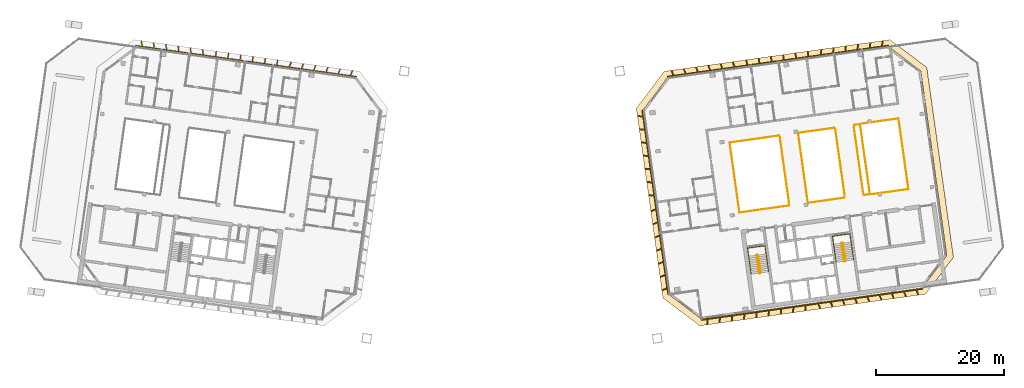
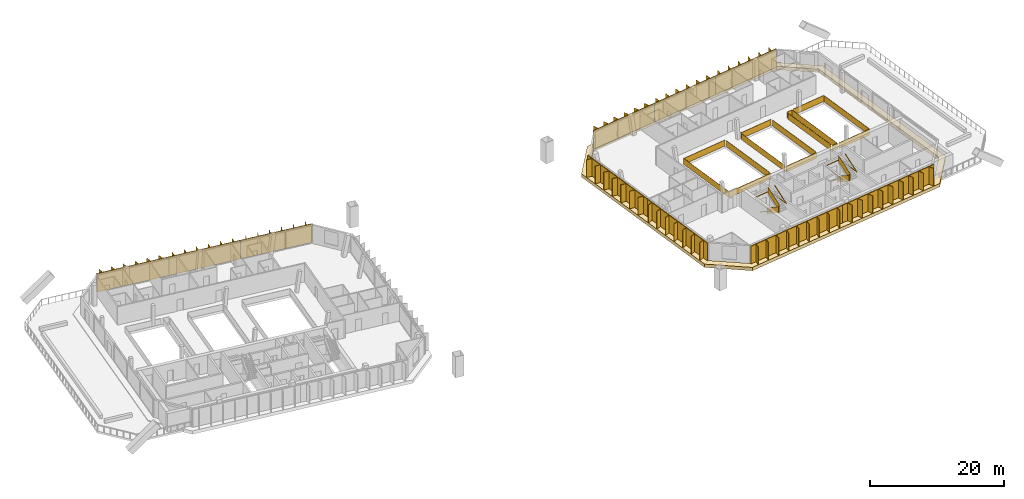
# One storey, part 18 of 19: 13 railings, 10 shading devices, 1 covering.
"""IFC4 building model written with IfcOpenShell, lengths in metres."""

import ifcopenshell
import ifcopenshell.guid

model = None  # the IFC model being written
_history = None  # IfcOwnerHistory: only IFC2X3 demands one
_inside = {}  # id of a spatial element -> (the spatial element, [elements in it])
_under = {}  # id of a project, library or spatial element -> (it, [spatial elements below it])
_declared = {}  # id of a project -> (the project, [libraries it declares])
_typed = {}  # id of a type object -> (the type object, [elements of that type])
_made_of = {}  # id of a material, layer set ... -> (it, [elements and type objects made of it])


def new_model(schema):
    """Start an empty IFC model of exactly this schema.

    Asked for "IFC4X3", IfcOpenShell would pick the latest addendum, in which some entities
    have other attributes; the version numbers below select the first issue.
    IFC2X3 requires an IfcOwnerHistory on every rooted entity: one is made here for all.
    """
    global model, _history
    if schema == "IFC4X3":
        model = ifcopenshell.file(schema_version=(4, 3, 0, 0))
    else:
        model = ifcopenshell.file(schema=schema)
    _inside.clear()
    _under.clear()
    _declared.clear()
    _typed.clear()
    _made_of.clear()
    _history = None
    if model.schema == "IFC2X3":
        org = make("IfcOrganization", Name="unknown")
        user = make(
            "IfcPersonAndOrganization",
            ThePerson=make("IfcPerson", FamilyName="unknown"),
            TheOrganization=org,
        )
        app = make(
            "IfcApplication",
            ApplicationDeveloper=org,
            Version="unknown",
            ApplicationFullName="unknown",
            ApplicationIdentifier="unknown",
        )
        _history = make(
            "IfcOwnerHistory",
            OwningUser=user,
            OwningApplication=app,
            ChangeAction="ADDED",
            CreationDate=0,
        )
    return model


def make(cls, **values):
    """One entity of the class cls with the attributes given. An attribute that is None is left unset."""
    return model.create_entity(
        cls, **{name: value for name, value in values.items() if value is not None}
    )


def rooted(cls, **values):
    """An entity with a GlobalId (a new one), such as an element, a storey or a relation."""
    return make(cls, GlobalId=ifcopenshell.guid.new(), OwnerHistory=_history, **values)


def si_unit(unit_type, name, prefix=None):
    """IfcSIUnit, for example si_unit("LENGTHUNIT", "METRE", prefix="MILLI")."""
    return make("IfcSIUnit", UnitType=unit_type, Prefix=prefix, Name=name)


def assignment(units):
    """IfcUnitAssignment: the units of a project."""
    return None if units is None else make("IfcUnitAssignment", Units=units)


def point(xyz):
    """IfcCartesianPoint."""
    return None if xyz is None else make("IfcCartesianPoint", Coordinates=xyz)


def direction(xyz):
    """IfcDirection."""
    return None if xyz is None else make("IfcDirection", DirectionRatios=xyz)


def frame(location, z_axis=None, x_axis=None):
    """IfcAxis2Placement3D, a coordinate frame: its origin and axes. An axis left out is left unset."""
    return make(
        "IfcAxis2Placement3D",
        Location=point(location),
        Axis=direction(z_axis),
        RefDirection=direction(x_axis),
    )


def frame_2d(location, x_axis=None):
    """IfcAxis2Placement2D, a coordinate frame in the plane: its origin and x axis."""
    return make(
        "IfcAxis2Placement2D", Location=point(location), RefDirection=direction(x_axis)
    )


def origin():
    """The frame at (0, 0, 0) with its axes left unset."""
    return frame((0.0, 0.0, 0.0))


def origin_2d():
    """The frame at (0, 0) in the plane with its x axis left unset."""
    return frame_2d((0.0, 0.0))


def place(relative_to, where):
    """IfcLocalPlacement: puts the frame where relative to a parent placement (None: the world)."""
    return make(
        "IfcLocalPlacement", PlacementRelTo=relative_to, RelativePlacement=where
    )


def context(
    kind, dimensions, precision=None, world=None, true_north=None, identifier=None
):
    """IfcGeometricRepresentationContext, for example the 3D "Model" context."""
    return make(
        "IfcGeometricRepresentationContext",
        ContextIdentifier=identifier,
        ContextType=kind,
        CoordinateSpaceDimension=dimensions,
        Precision=precision,
        WorldCoordinateSystem=world,
        TrueNorth=true_north,
    )


def subcontext(parent, identifier, kind, view, scale=None):
    """IfcGeometricRepresentationSubContext, for example "Body" below "Model"."""
    return make(
        "IfcGeometricRepresentationSubContext",
        ContextIdentifier=identifier,
        ContextType=kind,
        ParentContext=parent,
        TargetScale=scale,
        TargetView=view,
    )


def project(units=None, contexts=None):
    """IfcProject with its units and contexts."""
    return rooted(
        "IfcProject",
        Name="project",
        RepresentationContexts=contexts,
        UnitsInContext=assignment(units),
    )


def spatial(cls, under=None, at=None, **own):
    """A site, building, storey or space (cls), placed at a placement, below another one or the project."""
    s = rooted(cls, ObjectPlacement=at, **own)
    if under is not None:
        _under.setdefault(under.id(), (under, []))[1].append(s)
    return s


def polyline(points):
    """IfcPolyline through the points."""
    return make("IfcPolyline", Points=[point(p) for p in points])


def profile(cls, at=None, kind="AREA", **sizes):
    """A parametric profile (cls). Its sizes go by their IFC names, for example OverallWidth=200.0."""
    return make(cls, ProfileType=kind, Position=at, **sizes)


def rectangle(**sizes):
    """IfcRectangleProfileDef."""
    return profile("IfcRectangleProfileDef", **sizes)


def outline(outer, holes=None, kind="AREA"):
    """IfcArbitraryClosedProfileDef: a profile drawn as a closed curve; with holes, ...WithVoids."""
    if holes is None:
        return make("IfcArbitraryClosedProfileDef", ProfileType=kind, OuterCurve=outer)
    return make(
        "IfcArbitraryProfileDefWithVoids",
        ProfileType=kind,
        OuterCurve=outer,
        InnerCurves=holes,
    )


def extrude(swept, where, along, depth):
    """IfcExtrudedAreaSolid: the profile swept, set in the frame where, extruded along a direction by depth."""
    return make(
        "IfcExtrudedAreaSolid",
        SweptArea=swept,
        Position=where,
        ExtrudedDirection=direction(along),
        Depth=depth,
    )


def shape(context_of_items, identifier, shape_type, items):
    """IfcShapeRepresentation: the items that make up one representation, for example the "Body"."""
    return make(
        "IfcShapeRepresentation",
        ContextOfItems=context_of_items,
        RepresentationIdentifier=identifier,
        RepresentationType=shape_type,
        Items=items,
    )


def material(Name=None, Category=None):
    """IfcMaterial."""
    return make("IfcMaterial", Name=Name, Category=Category)


def layer(
    of_material, thickness, ventilated=None, Name=None, Category=None, Priority=None
):
    """IfcMaterialLayer: one layer of a wall or slab, of a material (None: an air gap)."""
    return make(
        "IfcMaterialLayer",
        Material=of_material,
        LayerThickness=thickness,
        IsVentilated=ventilated,
        Name=Name,
        Category=Category,
        Priority=Priority,
    )


def layer_set(layers, Name=None):
    """IfcMaterialLayerSet."""
    return make("IfcMaterialLayerSet", MaterialLayers=layers, LayerSetName=Name)


def made_of(thing, what):
    """Note that an element or type object is made of a material, layer set ...; save() writes the relation."""
    if what is not None:
        _made_of.setdefault(what.id(), (what, []))[1].append(thing)
    return thing


def type_object(cls, material=None, **own):
    """A type object (cls), such as IfcWallType, which elements share."""
    return made_of(rooted(cls, **own), material)


def element(
    cls,
    number,
    at=None,
    inside=None,
    cuts=None,
    type_object=None,
    material=None,
    context=None,
    identifier="Body",
    shape_type=None,
    held_by="IfcProductDefinitionShape",
    body=None,
    shapes=None,
    **own,
):
    """One element of the class cls, such as IfcWall. Its Tag is "e" and its number.

    at: its placement. inside: the storey or other place that contains it. cuts: it is an
    opening in that element (IfcRelVoidsElement). A single representation is given by context,
    identifier, shape_type and body (its items); several are given by shapes. held_by: the class
    of the entity that holds the representations. save() writes the other relations.
    """
    e = rooted(cls, Tag="e%d" % number, ObjectPlacement=at, **own)
    if body is not None:
        shapes = [shape(context, identifier, shape_type, body)]
    if shapes is not None:
        e.Representation = make(held_by, Representations=shapes)
    if inside is not None:
        _inside.setdefault(inside.id(), (inside, []))[1].append(e)
    if cuts is not None:
        rooted(
            "IfcRelVoidsElement", RelatingBuildingElement=cuts, RelatedOpeningElement=e
        )
    if type_object is not None:
        _typed.setdefault(type_object.id(), (type_object, []))[1].append(e)
    return made_of(e, material)


def aggregate(whole, parts):
    """IfcRelAggregates: a whole, such as a stair, and the parts it consists of."""
    return rooted("IfcRelAggregates", RelatingObject=whole, RelatedObjects=parts)


def save(model, path):
    """Write the relations noted so far, then the file.

    IfcRelAggregates (storeys below a building ...), IfcRelContainedInSpatialStructure (elements
    in a storey), IfcRelDefinesByType, IfcRelAssociatesMaterial and IfcRelDeclares: one each for
    every whole, place, type object, material and project.
    """
    for whole, parts in _under.values():
        aggregate(whole, parts)
    for where, things in _inside.values():
        rooted(
            "IfcRelContainedInSpatialStructure",
            RelatedElements=things,
            RelatingStructure=where,
        )
    for kind, things in _typed.values():
        rooted("IfcRelDefinesByType", RelatedObjects=things, RelatingType=kind)
    for what, things in _made_of.values():
        rooted("IfcRelAssociatesMaterial", RelatedObjects=things, RelatingMaterial=what)
    for by, libraries in _declared.values():
        rooted("IfcRelDeclares", RelatingContext=by, RelatedDefinitions=libraries)
    model.write(path)


model = new_model("IFC4")

# Units and contexts
model_context = context("Model", 3, precision=1e-05, world=origin(), true_north=direction((0.0, 1.0)))
body_context = subcontext(model_context, "Body", "Model", "MODEL_VIEW")
ifc_project = project(units=[si_unit("LENGTHUNIT", "METRE"), si_unit("AREAUNIT", "SQUARE_METRE"), si_unit("VOLUMEUNIT", "CUBIC_METRE"), si_unit("PLANEANGLEUNIT", "RADIAN"), si_unit("MASSUNIT", "GRAM", prefix="KILO")], contexts=[model_context])

# Site, building, storey
site_placement = place(None, origin())
site = spatial("IfcSite", under=ifc_project, at=site_placement, CompositionType="ELEMENT")
building_placement = place(site_placement, origin())
building = spatial("IfcBuilding", under=site, at=building_placement, Name="Mirante Cascada Hotel Towers", CompositionType="ELEMENT")
storey_placement = place(building_placement, frame((0.0, 0.0, 231.8)))
storey = spatial("IfcBuildingStorey", under=building, at=storey_placement, Name="L55", CompositionType="ELEMENT", Elevation=231.8)

# Railings
ifc_material_1 = material(Name="Toughened glass with stainless steel handrail", Category="steel")
railing_type_1 = type_object("IfcRailingType", Name="Atrium guard 1100 glass balustrade", PredefinedType="GUARDRAIL", material=ifc_material_1)
railing_1_placement = place(storey_placement, frame((41.6219, 7.308, 0.0)))
element("IfcRailing", 1, at=railing_1_placement, inside=storey, type_object=railing_type_1, Name="GUARD 2-L55-1", PredefinedType="GUARDRAIL", context=body_context, shape_type="SweptSolid", body=[
    extrude(rectangle(XDim=0.048, YDim=0.048, at=origin_2d()), frame((0.0, 0.0, 1.076), z_axis=(-0.9902688, -0.1391679, 0.0), x_axis=(0.1391679, -0.9902688, 0.0)), (0.0, 0.0, 1.0), 7.8042),
    extrude(rectangle(XDim=0.02, YDim=1.052, at=origin_2d()), frame((0.0, 0.0, 0.526), z_axis=(-0.9902688, -0.1391679, 0.0), x_axis=(0.1391679, -0.9902688, 0.0)), (0.0, 0.0, 1.0), 7.8042),
    extrude(rectangle(XDim=0.048, YDim=0.048, at=origin_2d()), frame((-7.7283, -1.0861, 1.076), z_axis=(0.1391733, -0.990268, 0.0), x_axis=(0.990268, 0.1391733, 0.0)), (0.0, 0.0, 1.0), 11.0),
    extrude(rectangle(XDim=0.02, YDim=1.052, at=origin_2d()), frame((-7.7283, -1.0861, 0.526), z_axis=(0.1391733, -0.990268, 0.0), x_axis=(0.990268, 0.1391733, 0.0)), (0.0, 0.0, 1.0), 11.0),
    extrude(rectangle(XDim=0.048, YDim=0.048, at=origin_2d()), frame((-6.1974, -11.979, 1.076), z_axis=(0.9902688, 0.1391679, 0.0), x_axis=(-0.1391679, 0.9902688, 0.0)), (0.0, 0.0, 1.0), 7.8042),
    extrude(rectangle(XDim=0.02, YDim=1.052, at=origin_2d()), frame((-6.1974, -11.979, 0.526), z_axis=(0.9902688, 0.1391679, 0.0), x_axis=(-0.1391679, 0.9902688, 0.0)), (0.0, 0.0, 1.0), 7.8042),
])
railing_2_placement = place(storey_placement, frame((46.1236, -3.1674, 0.0)))
element("IfcRailing", 2, at=railing_2_placement, inside=storey, type_object=railing_type_1, Name="GUARD 2-L55-2", PredefinedType="GUARDRAIL", context=body_context, shape_type="SweptSolid", body=[
    extrude(rectangle(XDim=0.048, YDim=0.048, at=origin_2d()), frame((0.0, 0.0, 1.076), z_axis=(0.9902686, 0.139169, 0.0), x_axis=(-0.139169, 0.9902686, 0.0)), (0.0, 0.0, 1.0), 5.7319),
    extrude(rectangle(XDim=0.02, YDim=1.052, at=origin_2d()), frame((0.0, 0.0, 0.526), z_axis=(0.9902686, 0.139169, 0.0), x_axis=(-0.139169, 0.9902686, 0.0)), (0.0, 0.0, 1.0), 5.7319),
])
railing_3_placement = place(storey_placement, frame((50.2688, 8.5233, 0.0)))
element("IfcRailing", 3, at=railing_3_placement, inside=storey, type_object=railing_type_1, Name="GUARD 2-L55-3", PredefinedType="GUARDRAIL", context=body_context, shape_type="SweptSolid", body=[
    extrude(rectangle(XDim=0.048, YDim=0.048, at=origin_2d()), frame((0.0, 0.0, 1.076), z_axis=(-0.9902686, -0.139169, 0.0), x_axis=(0.139169, -0.9902686, 0.0)), (0.0, 0.0, 1.0), 5.7319),
    extrude(rectangle(XDim=0.02, YDim=1.052, at=origin_2d()), frame((0.0, 0.0, 0.526), z_axis=(-0.9902686, -0.139169, 0.0), x_axis=(0.139169, -0.9902686, 0.0)), (0.0, 0.0, 1.0), 5.7319),
])
railing_4_placement = place(storey_placement, frame((54.7705, -1.9521, 0.0)))
element("IfcRailing", 4, at=railing_4_placement, inside=storey, type_object=railing_type_1, Name="GUARD 2-L55-4", PredefinedType="GUARDRAIL", context=body_context, shape_type="SweptSolid", body=[
    extrude(rectangle(XDim=0.048, YDim=0.048, at=origin_2d()), frame((0.0, 0.0, 1.076), z_axis=(0.9902747, 0.1391261, 0.0), x_axis=(-0.1391261, 0.9902747, 0.0)), (0.0, 0.0, 1.0), 0.9639),
    extrude(rectangle(XDim=0.02, YDim=1.052, at=origin_2d()), frame((0.0, 0.0, 0.526), z_axis=(0.9902747, 0.1391261, 0.0), x_axis=(-0.1391261, 0.9902747, 0.0)), (0.0, 0.0, 1.0), 0.9639),
    extrude(rectangle(XDim=0.048, YDim=0.048, at=origin_2d()), frame((0.9545, 0.1341, 1.076), z_axis=(-0.1391721, 0.9902682, 0.0), x_axis=(-0.9902682, -0.1391721, 0.0)), (0.0, 0.0, 1.0), 11.0001),
    extrude(rectangle(XDim=0.02, YDim=1.052, at=origin_2d()), frame((0.9545, 0.1341, 0.526), z_axis=(-0.1391721, 0.9902682, 0.0), x_axis=(-0.9902682, -0.1391721, 0.0)), (0.0, 0.0, 1.0), 11.0001),
    extrude(rectangle(XDim=0.048, YDim=0.048, at=origin_2d()), frame((-0.5764, 11.0271, 1.076), z_axis=(-0.9902604, -0.1392278, 0.0), x_axis=(0.1392278, -0.9902604, 0.0)), (0.0, 0.0, 1.0), 0.9639),
    extrude(rectangle(XDim=0.02, YDim=1.052, at=origin_2d()), frame((-0.5764, 11.0271, 0.526), z_axis=(-0.9902604, -0.1392278, 0.0), x_axis=(0.1392278, -0.9902604, 0.0)), (0.0, 0.0, 1.0), 0.9639),
])
railing_5_placement = place(storey_placement, frame((43.1602, -3.2853, 0.0)))
element("IfcRailing", 5, at=railing_5_placement, inside=storey, type_object=railing_type_1, Name="GUARD 2-L55-5", PredefinedType="GUARDRAIL", context=body_context, shape_type="SweptSolid", body=[
    extrude(rectangle(XDim=0.048, YDim=0.048, at=origin_2d()), frame((0.0, 0.0, 1.076), z_axis=(-0.1391721, 0.9902682, 0.0), x_axis=(-0.9902682, -0.1391721, 0.0)), (0.0, 0.0, 1.0), 10.4087),
    extrude(rectangle(XDim=0.02, YDim=1.052, at=origin_2d()), frame((0.0, 0.0, 0.526), z_axis=(-0.1391721, 0.9902682, 0.0), x_axis=(-0.9902682, -0.1391721, 0.0)), (0.0, 0.0, 1.0), 10.4087),
])
railing_6_placement = place(storey_placement, frame((44.5853, 7.426, 0.0)))
element("IfcRailing", 6, at=railing_6_placement, inside=storey, type_object=railing_type_1, Name="GUARD 2-L55-6", PredefinedType="GUARDRAIL", context=body_context, shape_type="SweptSolid", body=[
    extrude(rectangle(XDim=0.048, YDim=0.048, at=origin_2d()), frame((0.0, 0.0, 1.076), z_axis=(0.1391721, -0.9902682, 0.0), x_axis=(0.9902682, 0.1391721, 0.0)), (0.0, 0.0, 1.0), 10.4087),
    extrude(rectangle(XDim=0.02, YDim=1.052, at=origin_2d()), frame((0.0, 0.0, 0.526), z_axis=(0.1391721, -0.9902682, 0.0), x_axis=(0.9902682, 0.1391721, 0.0)), (0.0, 0.0, 1.0), 10.4087),
])
railing_7_placement = place(storey_placement, frame((51.8071, -2.0701, 0.0)))
element("IfcRailing", 7, at=railing_7_placement, inside=storey, type_object=railing_type_1, Name="GUARD 2-L55-7", PredefinedType="GUARDRAIL", context=body_context, shape_type="SweptSolid", body=[
    extrude(rectangle(XDim=0.048, YDim=0.048, at=origin_2d()), frame((0.0, 0.0, 1.076), z_axis=(-0.1391721, 0.9902682, 0.0), x_axis=(-0.9902682, -0.1391721, 0.0)), (0.0, 0.0, 1.0), 10.4087),
    extrude(rectangle(XDim=0.02, YDim=1.052, at=origin_2d()), frame((0.0, 0.0, 0.526), z_axis=(-0.1391721, 0.9902682, 0.0), x_axis=(-0.9902682, -0.1391721, 0.0)), (0.0, 0.0, 1.0), 10.4087),
])
railing_8_placement = place(storey_placement, frame((53.2322, 8.6412, 0.0)))
element("IfcRailing", 8, at=railing_8_placement, inside=storey, type_object=railing_type_1, Name="GUARD 2-L55-8", PredefinedType="GUARDRAIL", context=body_context, shape_type="SweptSolid", body=[
    extrude(rectangle(XDim=0.048, YDim=0.048, at=origin_2d()), frame((0.0, 0.0, 1.076), z_axis=(0.1391721, -0.9902682, 0.0), x_axis=(0.9902682, 0.1391721, 0.0)), (0.0, 0.0, 1.0), 10.4087),
    extrude(rectangle(XDim=0.02, YDim=1.052, at=origin_2d()), frame((0.0, 0.0, 0.526), z_axis=(0.1391721, -0.9902682, 0.0), x_axis=(0.9902682, 0.1391721, 0.0)), (0.0, 0.0, 1.0), 10.4087),
])
railing_9_placement = place(storey_placement, frame((56.0246, -1.8264, 0.0)))
element("IfcRailing", 9, at=railing_9_placement, inside=storey, type_object=railing_type_1, Name="GUARD 2-L55-9", PredefinedType="GUARDRAIL", context=body_context, shape_type="SweptSolid", body=[
    extrude(rectangle(XDim=0.048, YDim=0.048, at=origin_2d()), frame((0.0, 0.0, 1.076), z_axis=(0.9902698, 0.1391608, 0.0), x_axis=(-0.1391608, 0.9902698, 0.0)), (0.0, 0.0, 1.0), 5.7545),
    extrude(rectangle(XDim=0.02, YDim=1.052, at=origin_2d()), frame((0.0, 0.0, 0.526), z_axis=(0.9902698, 0.1391608, 0.0), x_axis=(-0.1391608, 0.9902698, 0.0)), (0.0, 0.0, 1.0), 5.7545),
    extrude(rectangle(XDim=0.048, YDim=0.048, at=origin_2d()), frame((5.6985, 0.8008, 1.076), z_axis=(-0.1391697, 0.9902686, 0.0), x_axis=(-0.9902686, -0.1391697, 0.0)), (0.0, 0.0, 1.0), 11.1001),
    extrude(rectangle(XDim=0.02, YDim=1.052, at=origin_2d()), frame((5.6985, 0.8008, 0.526), z_axis=(-0.1391697, 0.9902686, 0.0), x_axis=(-0.9902686, -0.1391697, 0.0)), (0.0, 0.0, 1.0), 11.1001),
    extrude(rectangle(XDim=0.048, YDim=0.048, at=origin_2d()), frame((4.1537, 11.7929, 1.076), z_axis=(-0.9902674, -0.1391779, 0.0), x_axis=(0.1391779, -0.9902674, 0.0)), (0.0, 0.0, 1.0), 5.7545),
    extrude(rectangle(XDim=0.02, YDim=1.052, at=origin_2d()), frame((4.1537, 11.7929, 0.526), z_axis=(-0.9902674, -0.1391779, 0.0), x_axis=(0.1391779, -0.9902674, 0.0)), (0.0, 0.0, 1.0), 5.7545),
])

# Covering
ifc_material_2 = material(Name="Precast concrete C40/50 white", Category="concrete")
ifc_layer = layer(ifc_material_2, 0.6)
ifc_layer_set = layer_set([ifc_layer], Name="Precast concrete SUNSHADE band 1000x600")
covering_type = type_object("IfcCoveringType", Name="Precast concrete SUNSHADE band 1000x600", PredefinedType="CLADDING", material=ifc_layer_set)
covering_placement = place(storey_placement, frame((0.0, 0.0, -0.45)))
element("IfcCovering", 10, at=covering_placement, inside=storey, type_object=covering_type, Name="Precast concrete SUNSHADE band T2 L55", PredefinedType="CLADDING", context=body_context, shape_type="SweptSolid", body=[
    extrude(outline(polyline([(19.3489, 11.5639), (23.6774, 17.308), (58.8202, 22.247), (64.5643, 17.9185), (68.7156, -11.6197), (64.3871, -17.3638), (29.2443, -22.3028), (23.5003, -17.9743), (19.3489, 11.5639)]), holes=[polyline([(67.6677, -11.3487), (63.6316, 17.3691), (58.5492, 21.199), (24.2268, 16.3754), (20.3969, 11.2929), (24.4329, -17.4249), (29.5154, -21.2548), (63.8377, -16.4311), (67.6677, -11.3487)])]), origin(), (0.0, 0.0, 1.0), 0.6),
])

# Railings
ifc_material_3 = material(Name="Painted steel", Category="steel")
railing_type_2 = type_object("IfcRailingType", Name="Stair guard 1100 steel balustrade", PredefinedType="GUARDRAIL", material=ifc_material_3)
railing_10_placement = place(storey_placement, frame((38.2663, -11.2395, 0.0)))
element("IfcRailing", 11, at=railing_10_placement, inside=storey, type_object=railing_type_2, Name="L55 ST2-A stair guard 1", PredefinedType="GUARDRAIL", context=body_context, shape_type="SweptSolid", body=[
    extrude(rectangle(XDim=0.048, YDim=0.048, at=origin_2d()), frame((0.0, 0.0, 1.076), z_axis=(-0.9903326, -0.1387133, 0.0), x_axis=(0.1387133, -0.9903326, 0.0)), (0.0, 0.0, 1.0), 0.1499),
    extrude(rectangle(XDim=0.02, YDim=1.052, at=origin_2d()), frame((0.0, 0.0, 0.526), z_axis=(-0.9903326, -0.1387133, 0.0), x_axis=(0.1387133, -0.9903326, 0.0)), (0.0, 0.0, 1.0), 0.1499),
    extrude(rectangle(XDim=0.048, YDim=0.048, at=origin_2d()), frame((-0.1485, -0.0208, 1.076), z_axis=(-0.6020331, -0.7984711, 0.0), x_axis=(0.7984711, -0.6020331, 0.0)), (0.0, 0.9253398, 0.3791387), 0.1866),
    extrude(rectangle(XDim=0.02, YDim=1.052, at=origin_2d()), frame((-0.1485, -0.0208, 0.526), z_axis=(-0.6020331, -0.7984711, 0.0), x_axis=(0.7984711, -0.6020331, 0.0)), (0.0, 0.9253398, 0.3791387), 0.1866),
    extrude(rectangle(XDim=0.048, YDim=0.048, at=origin_2d()), frame((-0.1911, -0.0773, 1.2487), z_axis=(0.139176, -0.9902677, 0.0), x_axis=(0.9902677, 0.139176, 0.0)), (0.0, 0.5250212, 0.8510891), 3.29),
    extrude(rectangle(XDim=0.02, YDim=1.052, at=origin_2d()), frame((-0.1911, -0.0773, 0.6987), z_axis=(0.139176, -0.9902677, 0.0), x_axis=(0.9902677, 0.139176, 0.0)), (0.0, 0.5250212, 0.8510891), 3.29),
    extrude(rectangle(XDim=0.048, YDim=0.048, at=origin_2d()), frame((0.1986, -2.8501, 2.976), z_axis=(0.9944948, -0.1047858, 0.0), x_axis=(0.1047858, 0.9944948, 0.0)), (0.0, 0.0, 1.0), 0.2061),
    extrude(rectangle(XDim=0.02, YDim=1.052, at=origin_2d()), frame((0.1986, -2.8501, 2.426), z_axis=(0.9944948, -0.1047858, 0.0), x_axis=(0.1047858, 0.9944948, 0.0)), (0.0, 0.0, 1.0), 0.2061),
    extrude(rectangle(XDim=0.048, YDim=0.048, at=origin_2d()), frame((0.4036, -2.8717, 2.976), z_axis=(-0.9902408, -0.1393672, 0.0), x_axis=(0.1393672, -0.9902408, 0.0)), (0.0, 0.0, 1.0), 0.15),
    extrude(rectangle(XDim=0.02, YDim=1.052, at=origin_2d()), frame((0.4036, -2.8717, 2.426), z_axis=(-0.9902408, -0.1393672, 0.0), x_axis=(0.1393672, -0.9902408, 0.0)), (0.0, 0.0, 1.0), 0.15),
    extrude(rectangle(XDim=0.048, YDim=0.048, at=origin_2d()), frame((0.2551, -2.8926, 2.976), z_axis=(0.9270311, 0.3749843, 0.0), x_axis=(-0.3749843, 0.9270311, 0.0)), (0.0, 0.6421903, 0.7665452), 0.2689),
    extrude(rectangle(XDim=0.02, YDim=1.052, at=origin_2d()), frame((0.2551, -2.8926, 2.426), z_axis=(0.9270311, 0.3749843, 0.0), x_axis=(-0.3749843, 0.9270311, 0.0)), (0.0, 0.6421903, 0.7665452), 0.2689),
    extrude(rectangle(XDim=0.048, YDim=0.048, at=origin_2d()), frame((0.4462, -2.8153, 3.1487), z_axis=(-0.139176, 0.9902677, 0.0), x_axis=(-0.9902677, -0.139176, 0.0)), (0.0, 0.5250212, 0.8510891), 3.29),
    extrude(rectangle(XDim=0.02, YDim=1.052, at=origin_2d()), frame((0.4462, -2.8153, 2.5987), z_axis=(-0.139176, 0.9902677, 0.0), x_axis=(-0.9902677, -0.139176, 0.0)), (0.0, 0.5250212, 0.8510891), 3.29),
])
railing_11_placement = place(storey_placement, frame((51.4864, -9.3815, 0.0)))
element("IfcRailing", 12, at=railing_11_placement, inside=storey, type_object=railing_type_2, Name="L55 ST2-B stair guard 1", PredefinedType="GUARDRAIL", context=body_context, shape_type="SweptSolid", body=[
    extrude(rectangle(XDim=0.048, YDim=0.048, at=origin_2d()), frame((0.0, 0.0, 1.076), z_axis=(-0.9902408, -0.1393672, 0.0), x_axis=(0.1393672, -0.9902408, 0.0)), (0.0, 0.0, 1.0), 0.15),
    extrude(rectangle(XDim=0.02, YDim=1.052, at=origin_2d()), frame((0.0, 0.0, 0.526), z_axis=(-0.9902408, -0.1393672, 0.0), x_axis=(0.1393672, -0.9902408, 0.0)), (0.0, 0.0, 1.0), 0.15),
    extrude(rectangle(XDim=0.048, YDim=0.048, at=origin_2d()), frame((-0.1485, -0.0209, 1.076), z_axis=(-0.6020331, -0.7984711, 0.0), x_axis=(0.7984711, -0.6020331, 0.0)), (0.0, 0.9253398, 0.3791387), 0.1866),
    extrude(rectangle(XDim=0.02, YDim=1.052, at=origin_2d()), frame((-0.1485, -0.0209, 0.526), z_axis=(-0.6020331, -0.7984711, 0.0), x_axis=(0.7984711, -0.6020331, 0.0)), (0.0, 0.9253398, 0.3791387), 0.1866),
    extrude(rectangle(XDim=0.048, YDim=0.048, at=origin_2d()), frame((-0.1911, -0.0774, 1.2487), z_axis=(0.139181, -0.990267, 0.0), x_axis=(0.990267, 0.139181, 0.0)), (0.0, 0.5250347, 0.8510808), 3.2899),
    extrude(rectangle(XDim=0.02, YDim=1.052, at=origin_2d()), frame((-0.1911, -0.0774, 0.6987), z_axis=(0.139181, -0.990267, 0.0), x_axis=(0.990267, 0.139181, 0.0)), (0.0, 0.5250347, 0.8510808), 3.2899),
    extrude(rectangle(XDim=0.048, YDim=0.048, at=origin_2d()), frame((0.1986, -2.8501, 2.976), z_axis=(0.9944441, -0.1052656, 0.0), x_axis=(0.1052656, 0.9944441, 0.0)), (0.0, 0.0, 1.0), 0.2061),
    extrude(rectangle(XDim=0.02, YDim=1.052, at=origin_2d()), frame((0.1986, -2.8501, 2.426), z_axis=(0.9944441, -0.1052656, 0.0), x_axis=(0.1052656, 0.9944441, 0.0)), (0.0, 0.0, 1.0), 0.2061),
    extrude(rectangle(XDim=0.048, YDim=0.048, at=origin_2d()), frame((0.4036, -2.8718, 2.976), z_axis=(-0.9902408, -0.1393672, 0.0), x_axis=(0.1393672, -0.9902408, 0.0)), (0.0, 0.0, 1.0), 0.15),
    extrude(rectangle(XDim=0.02, YDim=1.052, at=origin_2d()), frame((0.4036, -2.8718, 2.426), z_axis=(-0.9902408, -0.1393672, 0.0), x_axis=(0.1393672, -0.9902408, 0.0)), (0.0, 0.0, 1.0), 0.15),
    extrude(rectangle(XDim=0.048, YDim=0.048, at=origin_2d()), frame((0.2551, -2.8927, 2.976), z_axis=(0.9268624, 0.3754011, 0.0), x_axis=(-0.3754011, 0.9268624, 0.0)), (0.0, 0.6421217, 0.7666028), 0.269),
    extrude(rectangle(XDim=0.02, YDim=1.052, at=origin_2d()), frame((0.2551, -2.8927, 2.426), z_axis=(0.9268624, 0.3754011, 0.0), x_axis=(-0.3754011, 0.9268624, 0.0)), (0.0, 0.6421217, 0.7666028), 0.269),
    extrude(rectangle(XDim=0.048, YDim=0.048, at=origin_2d()), frame((0.4462, -2.8153, 3.1487), z_axis=(-0.139181, 0.990267, 0.0), x_axis=(-0.990267, -0.139181, 0.0)), (0.0, 0.5250347, 0.8510808), 3.2899),
    extrude(rectangle(XDim=0.02, YDim=1.052, at=origin_2d()), frame((0.4462, -2.8153, 2.5987), z_axis=(-0.139181, 0.990267, 0.0), x_axis=(-0.990267, -0.139181, 0.0)), (0.0, 0.5250347, 0.8510808), 3.2899),
])
ifc_material_4 = material(Name="Painted steel", Category="steel")
railing_type_3 = type_object("IfcRailingType", Name="Stair handrail 900 steel tube", PredefinedType="HANDRAIL", material=ifc_material_4)
railing_12_placement = place(storey_placement, frame((36.8374, -11.4908, 0.1727)))
element("IfcRailing", 13, at=railing_12_placement, inside=storey, type_object=railing_type_3, Name="L55 ST2-A stair handrail 1", PredefinedType="HANDRAIL", context=body_context, shape_type="SweptSolid", body=[
    extrude(rectangle(XDim=0.048, YDim=0.048, at=origin_2d()), frame((0.0, 0.0, 0.876), z_axis=(0.139181, -0.990267, 0.0), x_axis=(0.990267, 0.139181, 0.0)), (0.0, 0.5250347, 0.8510808), 3.2899),
    extrude(rectangle(XDim=0.048, YDim=0.048, at=origin_2d()), frame((0.3897, -2.7727, 2.6033), z_axis=(-0.1391707, 0.9902684, 0.0), x_axis=(-0.9902684, -0.1391707, 0.0)), (0.0, 0.0420846, 0.999114), 4.1036),
    extrude(rectangle(XDim=0.048, YDim=0.048, at=origin_2d()), frame((-0.1809, 1.2874, 2.776), z_axis=(0.9902691, 0.1391657, 0.0), x_axis=(-0.1391657, 0.9902691, 0.0)), (0.0, 0.0, 1.0), 2.75),
    extrude(rectangle(XDim=0.048, YDim=0.048, at=origin_2d()), frame((2.5423, 1.6701, 2.776), z_axis=(0.1391707, -0.9902684, 0.0), x_axis=(0.9902684, 0.1391707, 0.0)), (0.0, 0.0, 1.0), 4.1),
    extrude(rectangle(XDim=0.048, YDim=0.048, at=origin_2d()), frame((3.1129, -2.39, 2.776), z_axis=(-0.139181, 0.990267, 0.0), x_axis=(-0.990267, -0.139181, 0.0)), (0.0, 0.5250347, 0.8510808), 3.2899),
])
railing_13_placement = place(storey_placement, frame((50.0575, -9.6328, 0.1727)))
element("IfcRailing", 14, at=railing_13_placement, inside=storey, type_object=railing_type_3, Name="L55 ST2-B stair handrail 1", PredefinedType="HANDRAIL", context=body_context, shape_type="SweptSolid", body=[
    extrude(rectangle(XDim=0.048, YDim=0.048, at=origin_2d()), frame((0.0, 0.0, 0.876), z_axis=(0.139176, -0.9902677, 0.0), x_axis=(0.9902677, 0.139176, 0.0)), (0.0, 0.5250212, 0.8510891), 3.29),
    extrude(rectangle(XDim=0.048, YDim=0.048, at=origin_2d()), frame((0.3897, -2.7728, 2.6033), z_axis=(-0.1391707, 0.9902684, 0.0), x_axis=(-0.9902684, -0.1391707, 0.0)), (0.0, 0.0420846, 0.999114), 4.1036),
    extrude(rectangle(XDim=0.048, YDim=0.048, at=origin_2d()), frame((-0.1809, 1.2873, 2.776), z_axis=(0.9902641, 0.1392013, 0.0), x_axis=(-0.1392013, 0.9902641, 0.0)), (0.0, 0.0, 1.0), 2.75),
    extrude(rectangle(XDim=0.048, YDim=0.048, at=origin_2d()), frame((2.5423, 1.6701, 2.776), z_axis=(0.1391707, -0.9902684, 0.0), x_axis=(0.9902684, 0.1391707, 0.0)), (0.0, 0.0, 1.0), 4.1),
    extrude(rectangle(XDim=0.048, YDim=0.048, at=origin_2d()), frame((3.1129, -2.39, 2.776), z_axis=(-0.139181, 0.990267, 0.0), x_axis=(-0.990267, -0.139181, 0.0)), (0.0, 0.5250347, 0.8510808), 3.2899),
])

# Shading devices
ifc_material_5 = material(Name="White precast concrete C50/60 fin", Category="concrete")
shading_device_type = type_object("IfcShadingDeviceType", Name="Vertical fin set 4500x900", PredefinedType="USERDEFINED", material=ifc_material_5)
shading_device_1_placement = place(storey_placement, origin())
element("IfcShadingDevice", 15, at=shading_device_1_placement, inside=storey, type_object=shading_device_type, Name="FIN T1 L55 front 1", ObjectType="FIN", PredefinedType="USERDEFINED", context=body_context, shape_type="SweptSolid", body=[
    extrude(outline(polyline([(-48.1178, 20.7223), (-48.0131, 19.8698), (-47.0875, 19.7397), (-47.1084, 19.5911), (-58.5492, 21.199), (-58.5283, 21.3476), (-57.6292, 21.2212), (-57.7312, 22.0525), (-57.6518, 22.0622), (-57.5471, 21.2097), (-55.7224, 20.9532), (-55.8244, 21.7845), (-55.745, 21.7943), (-55.6403, 20.9417), (-53.8156, 20.6853), (-53.9176, 21.5165), (-53.8382, 21.5263), (-53.7335, 20.6737), (-51.9088, 20.4173), (-52.0108, 21.2485), (-51.9314, 21.2583), (-51.8267, 20.4057), (-50.002, 20.1493), (-50.104, 20.9806), (-50.0246, 20.9903), (-49.9199, 20.1378), (-48.0952, 19.8813), (-48.1972, 20.7126), (-48.1178, 20.7223)])), origin(), (0.0, 0.0, 1.0), 3.35),
])
shading_device_2_placement = place(storey_placement, origin())
element("IfcShadingDevice", 16, at=shading_device_2_placement, inside=storey, type_object=shading_device_type, Name="FIN T1 L55 front 2", ObjectType="FIN", PredefinedType="USERDEFINED", context=body_context, shape_type="SweptSolid", body=[
    extrude(outline(polyline([(-36.4422, 19.1019), (-36.5605, 18.2602), (-35.6467, 18.1318), (-35.6676, 17.9832), (-47.1084, 19.5911), (-47.0875, 19.7397), (-46.1737, 19.6113), (-46.0554, 20.453), (-45.9762, 20.4419), (-46.0945, 19.6001), (-44.2669, 19.3433), (-44.1486, 20.185), (-44.0694, 20.1739), (-44.1877, 19.3321), (-42.3601, 19.0753), (-42.2418, 19.917), (-42.1626, 19.9059), (-42.2809, 19.0642), (-40.4533, 18.8073), (-40.335, 19.649), (-40.2558, 19.6379), (-40.3741, 18.7962), (-38.5465, 18.5393), (-38.4282, 19.3811), (-38.349, 19.3699), (-38.4673, 18.5282), (-36.6397, 18.2713), (-36.5214, 19.1131), (-36.4422, 19.1019)])), origin(), (0.0, 0.0, 1.0), 3.35),
])
shading_device_3_placement = place(storey_placement, origin())
element("IfcShadingDevice", 17, at=shading_device_3_placement, inside=storey, type_object=shading_device_type, Name="FIN T1 L55 front 3", ObjectType="FIN", PredefinedType="USERDEFINED", context=body_context, shape_type="SweptSolid", body=[
    extrude(outline(polyline([(-24.7778, 17.4212), (-25.105, 16.6503), (-24.2059, 16.5239), (-24.2268, 16.3754), (-35.6676, 17.9832), (-35.6467, 18.1318), (-34.721, 18.0017), (-34.3854, 18.7924), (-34.3118, 18.7611), (-34.639, 17.9902), (-32.8142, 17.7337), (-32.4786, 18.5244), (-32.405, 18.4931), (-32.7322, 17.7222), (-30.9074, 17.4657), (-30.5718, 18.2564), (-30.4982, 18.2251), (-30.8254, 17.4542), (-29.0006, 17.1977), (-28.665, 17.9884), (-28.5914, 17.9572), (-28.9186, 17.1862), (-27.0938, 16.9298), (-26.7582, 17.7204), (-26.6846, 17.6892), (-27.0118, 16.9182), (-25.187, 16.6618), (-24.8514, 17.4525), (-24.7778, 17.4212)])), origin(), (0.0, 0.0, 1.0), 3.35),
])
shading_device_4_placement = place(storey_placement, origin())
element("IfcShadingDevice", 18, at=shading_device_4_placement, inside=storey, type_object=shading_device_type, Name="FIN T2 L55 front 1", ObjectType="FIN", PredefinedType="USERDEFINED", context=body_context, shape_type="SweptSolid", body=[
    extrude(outline(polyline([(48.1972, 20.7126), (48.0952, 19.8813), (49.9199, 20.1378), (50.0246, 20.9903), (50.104, 20.9806), (50.002, 20.1493), (51.8267, 20.4057), (51.9314, 21.2583), (52.0108, 21.2485), (51.9088, 20.4173), (53.7335, 20.6737), (53.8382, 21.5263), (53.9176, 21.5165), (53.8156, 20.6853), (55.6403, 20.9417), (55.745, 21.7943), (55.8244, 21.7845), (55.7224, 20.9532), (57.5471, 21.2097), (57.6518, 22.0622), (57.7312, 22.0525), (57.6292, 21.2212), (58.5283, 21.3476), (58.5492, 21.199), (47.1084, 19.5911), (47.0875, 19.7397), (48.0131, 19.8698), (48.1178, 20.7223), (48.1972, 20.7126)])), origin(), (0.0, 0.0, 1.0), 3.35),
])
shading_device_5_placement = place(storey_placement, origin())
element("IfcShadingDevice", 19, at=shading_device_5_placement, inside=storey, type_object=shading_device_type, Name="FIN T2 L55 front 2", ObjectType="FIN", PredefinedType="USERDEFINED", context=body_context, shape_type="SweptSolid", body=[
    extrude(outline(polyline([(36.5214, 19.1131), (36.6397, 18.2713), (38.4673, 18.5282), (38.349, 19.3699), (38.4282, 19.3811), (38.5465, 18.5393), (40.3741, 18.7962), (40.2558, 19.6379), (40.335, 19.649), (40.4533, 18.8073), (42.2809, 19.0642), (42.1626, 19.9059), (42.2418, 19.917), (42.3601, 19.0753), (44.1877, 19.3321), (44.0694, 20.1739), (44.1486, 20.185), (44.2669, 19.3433), (46.0945, 19.6001), (45.9762, 20.4419), (46.0554, 20.453), (46.1737, 19.6113), (47.0875, 19.7397), (47.1084, 19.5911), (35.6676, 17.9832), (35.6467, 18.1318), (36.5605, 18.2602), (36.4422, 19.1019), (36.5214, 19.1131)])), origin(), (0.0, 0.0, 1.0), 3.35),
])
shading_device_6_placement = place(storey_placement, origin())
element("IfcShadingDevice", 20, at=shading_device_6_placement, inside=storey, type_object=shading_device_type, Name="FIN T2 L55 front 3", ObjectType="FIN", PredefinedType="USERDEFINED", context=body_context, shape_type="SweptSolid", body=[
    extrude(outline(polyline([(24.8514, 17.4525), (25.187, 16.6618), (27.0118, 16.9182), (26.6846, 17.6892), (26.7582, 17.7204), (27.0938, 16.9298), (28.9186, 17.1862), (28.5914, 17.9572), (28.665, 17.9884), (29.0006, 17.1977), (30.8254, 17.4542), (30.4982, 18.2251), (30.5718, 18.2564), (30.9074, 17.4657), (32.7322, 17.7222), (32.405, 18.4931), (32.4786, 18.5244), (32.8142, 17.7337), (34.639, 17.9902), (34.3118, 18.7611), (34.3854, 18.7924), (34.721, 18.0017), (35.6467, 18.1318), (35.6676, 17.9832), (24.2268, 16.3754), (24.2059, 16.5239), (25.105, 16.6503), (24.7778, 17.4212), (24.8514, 17.4525)])), origin(), (0.0, 0.0, 1.0), 3.35),
])
shading_device_7_placement = place(storey_placement, origin())
element("IfcShadingDevice", 21, at=shading_device_7_placement, inside=storey, type_object=shading_device_type, Name="FIN T2 L55 inner 1", ObjectType="FIN", PredefinedType="USERDEFINED", context=body_context, shape_type="SweptSolid", body=[
    extrude(outline(polyline([(21.2833, -1.9049), (22.1146, -2.007), (21.8378, -0.0377), (20.9852, 0.0669), (20.995, 0.1463), (21.8263, 0.0443), (21.5495, 2.0135), (20.697, 2.1182), (20.7067, 2.1976), (21.538, 2.0956), (21.2612, 4.0648), (20.4087, 4.1695), (20.4184, 4.2489), (21.2497, 4.1468), (20.9729, 6.1161), (20.1204, 6.2208), (20.1301, 6.3002), (20.9614, 6.1981), (20.6846, 8.1673), (19.8321, 8.272), (19.8418, 8.3514), (20.6731, 8.2494), (20.3964, 10.2186), (19.5438, 10.3233), (19.5536, 10.4027), (20.3848, 10.3006), (20.2483, 11.272), (20.3969, 11.2929), (22.4149, -3.066), (22.2663, -3.0869), (22.1261, -2.089), (21.2735, -1.9843), (21.2833, -1.9049)])), origin(), (0.0, 0.0, 1.0), 3.35),
])
shading_device_8_placement = place(storey_placement, origin())
element("IfcShadingDevice", 22, at=shading_device_8_placement, inside=storey, type_object=shading_device_type, Name="FIN T2 L55 inner 2", ObjectType="FIN", PredefinedType="USERDEFINED", context=body_context, shape_type="SweptSolid", body=[
    extrude(outline(polyline([(23.3456, -16.728), (24.1363, -16.3924), (23.8595, -14.4232), (23.0886, -14.7504), (23.0573, -14.6768), (23.848, -14.3411), (23.5712, -12.3719), (22.8003, -12.6991), (22.769, -12.6255), (23.5597, -12.2899), (23.283, -10.3206), (22.512, -10.6479), (22.4808, -10.5742), (23.2714, -10.2386), (22.9947, -8.2693), (22.2237, -8.5966), (22.1925, -8.523), (22.9831, -8.1873), (22.7064, -6.2181), (21.9354, -6.5453), (21.9042, -6.4717), (22.6949, -6.1361), (22.4181, -4.1668), (21.6472, -4.4941), (21.6159, -4.4204), (22.4066, -4.0848), (22.2663, -3.0869), (22.4149, -3.066), (24.4329, -17.4249), (24.2843, -17.4458), (24.1478, -16.4744), (23.3769, -16.8017), (23.3456, -16.728)])), origin(), (0.0, 0.0, 1.0), 3.35),
])
shading_device_9_placement = place(storey_placement, origin())
element("IfcShadingDevice", 23, at=shading_device_9_placement, inside=storey, type_object=shading_device_type, Name="FIN T2 L55 rear 1", ObjectType="FIN", PredefinedType="USERDEFINED", context=body_context, shape_type="SweptSolid", body=[
    extrude(outline(polyline([(30.3333, -22.1083), (30.4354, -21.277), (29.5362, -21.4034), (29.5154, -21.2548), (46.6765, -18.843), (46.6974, -18.9915), (45.7718, -19.1216), (45.6671, -19.9742), (45.5877, -19.9644), (45.6897, -19.1331), (43.865, -19.3896), (43.7603, -20.2422), (43.6809, -20.2324), (43.7829, -19.4011), (41.9582, -19.6576), (41.8535, -20.5101), (41.7741, -20.5004), (41.8761, -19.6691), (40.0514, -19.9256), (39.9467, -20.7781), (39.8673, -20.7684), (39.9694, -19.9371), (38.1446, -20.1936), (38.0399, -21.0461), (37.9605, -21.0364), (38.0626, -20.2051), (36.2378, -20.4615), (36.1331, -21.3141), (36.0537, -21.3043), (36.1558, -20.4731), (34.331, -20.7295), (34.2263, -21.5821), (34.1469, -21.5723), (34.249, -20.741), (32.4242, -20.9975), (32.3195, -21.8501), (32.2401, -21.8403), (32.3422, -21.009), (30.5174, -21.2655), (30.4127, -22.118), (30.3333, -22.1083)])), origin(), (0.0, 0.0, 1.0), 3.35),
])
shading_device_10_placement = place(storey_placement, origin())
element("IfcShadingDevice", 24, at=shading_device_10_placement, inside=storey, type_object=shading_device_type, Name="FIN T2 L55 rear 2", ObjectType="FIN", PredefinedType="USERDEFINED", context=body_context, shape_type="SweptSolid", body=[
    extrude(outline(polyline([(47.9587, -19.6521), (47.6231, -18.8614), (46.6974, -18.9915), (46.6765, -18.843), (63.8377, -16.4311), (63.8586, -16.5797), (62.9595, -16.706), (63.2867, -17.477), (63.2131, -17.5082), (62.8775, -16.7176), (61.0527, -16.974), (61.3799, -17.745), (61.3063, -17.7762), (60.9707, -16.9856), (59.1459, -17.242), (59.4731, -18.013), (59.3995, -18.0442), (59.0639, -17.2535), (57.2391, -17.51), (57.5663, -18.2809), (57.4927, -18.3122), (57.1571, -17.5215), (55.3323, -17.778), (55.6595, -18.5489), (55.5859, -18.5802), (55.2503, -17.7895), (53.4255, -18.046), (53.7527, -18.8169), (53.6791, -18.8482), (53.3435, -18.0575), (51.5187, -18.3139), (51.8459, -19.0849), (51.7723, -19.1161), (51.4367, -18.3255), (49.6119, -18.5819), (49.9391, -19.3529), (49.8655, -19.3841), (49.5299, -18.5935), (47.7051, -18.8499), (48.0323, -19.6208), (47.9587, -19.6521)])), origin(), (0.0, 0.0, 1.0), 3.35),
])

save(model, "model.ifc")
